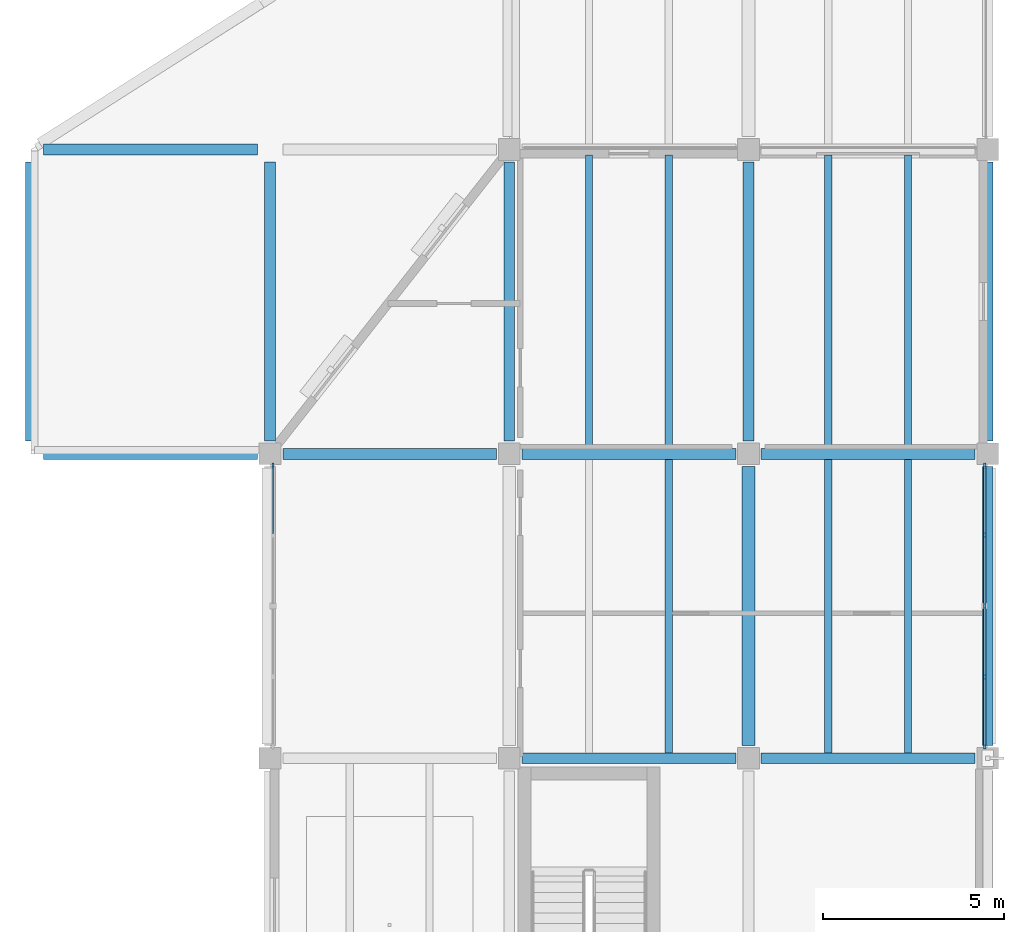
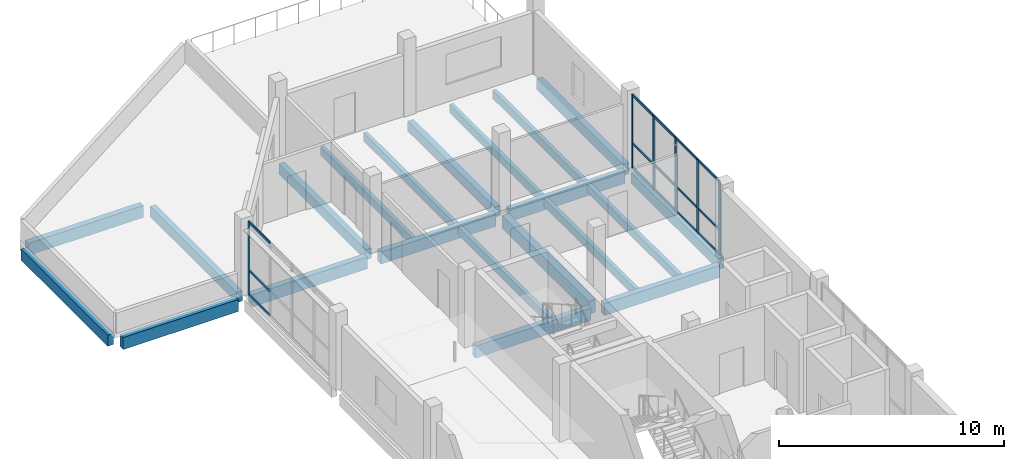
# One storey, part 4 of 12: 21 beams, 21 members, 2 elements without a shape of their own.
"""IFC4 building model written with IfcOpenShell, lengths in metres."""

from ifc_helpers import new_model, si_unit, direction, frame, origin, origin_2d, place, context, subcontext, project, spatial, rectangle, extrude, material, material_profile, profile_set, type_object, element, aggregate, save


model = new_model("IFC4")

# Units and contexts
model_context = context("Model", 3, precision=1e-05, world=origin(), true_north=direction((0.0, 1.0)))
body_context = subcontext(model_context, "Body", "Model", "MODEL_VIEW")
ifc_project = project(units=[si_unit("LENGTHUNIT", "METRE"), si_unit("AREAUNIT", "SQUARE_METRE"), si_unit("VOLUMEUNIT", "CUBIC_METRE"), si_unit("PLANEANGLEUNIT", "RADIAN"), si_unit("MASSUNIT", "GRAM", prefix="KILO")], contexts=[model_context])

# Site, building, storey
site_placement = place(None, origin())
site = spatial("IfcSite", under=ifc_project, at=site_placement, CompositionType="ELEMENT")
building_placement = place(site_placement, origin())
building = spatial("IfcBuilding", under=site, at=building_placement, Name="Qaldarim Faculty of Natural and Applied Sciences", CompositionType="ELEMENT")
storey_placement = place(building_placement, frame((0.0, 0.0, 31.199951171875)))
storey = spatial("IfcBuildingStorey", under=building, at=storey_placement, Name="L07", CompositionType="ELEMENT", Elevation=31.199951171875)

# Beams
ifc_material_1 = material(Name="Concrete C40/50", Category="concrete")
ifc_material_profile_1 = material_profile(ifc_material_1, rectangle(XDim=0.300048828125, YDim=0.550048828125, at=origin_2d()), Name="RC-B300x550")
ifc_profile_set_1 = profile_set([ifc_material_profile_1], Name="Concrete C40/50")
beam_type_1 = type_object("IfcBeamType", Name="FloorBeam-RC300x550", PredefinedType="BEAM", material=ifc_profile_set_1)
for number, where, z_axis, x_axis, name in (
    (1, (158.39990234375, 42.35009765625, -0.494873046875), (0.0, 1.0, 0.0), (-1.0, 0.0, 0.0), "Beam RC-B300x550 L06 X25/Y06-Y07"),
    (2, (165.0, 42.35009765625, -0.494873046875), (0.0, 1.0, 0.0), (-1.0, 0.0, 0.0), "Beam RC-B300x550 L06 X26/Y06-Y07"),
    (3, (171.60009765625, 42.35009765625, -0.494873046875), (0.0, 1.0, 0.0), (-1.0, 0.0, 0.0), "Beam RC-B300x550 L06 X27/Y06-Y07"),
):
    element("IfcBeam", number, at=place(storey_placement, frame(where, z_axis=z_axis, x_axis=x_axis)), inside=storey, type_object=beam_type_1, Name=name, PredefinedType="BEAM", context=body_context, shape_type="SweptSolid", body=[
        extrude(rectangle(XDim=0.300048828125, YDim=0.550048828125, at=origin_2d()), origin(), (0.0, 0.0, 1.0), 7.699951171875),
    ])
ifc_material_profile_2 = material_profile(ifc_material_1, rectangle(XDim=0.199951171875, YDim=0.449951171875, at=origin_2d()), Name="RC-J200x450")
ifc_profile_set_2 = profile_set([ifc_material_profile_2], Name="Concrete C40/50")
beam_type_2 = type_object("IfcBeamType", Name="LabJoist-RC200x450", PredefinedType="JOIST", material=ifc_profile_set_2)
for number, where, z_axis, x_axis, name in (
    (4, (169.39990234375, 33.75, -0.445068359375), (0.0, 1.0, 0.0), (-1.0, 0.0, 0.0), "Laboratory joist L06 bay X26Y05-2"),
    (5, (167.199951171875, 42.14990234375, -0.445068359375), (0.0, 1.0, 0.0), (-1.0, 0.0, 0.0), "Laboratory joist L06 bay X26Y06-1"),
    (6, (169.39990234375, 42.14990234375, -0.445068359375), (0.0, 1.0, 0.0), (-1.0, 0.0, 0.0), "Laboratory joist L06 bay X26Y06-2"),
    (7, (173.800048828125, 33.75, -0.445068359375), (0.0, 1.0, 0.0), (-1.0, 0.0, 0.0), "Laboratory joist L06 bay X27Y05-1"),
    (8, (176.0, 33.75, -0.445068359375), (0.0, 1.0, 0.0), (-1.0, 0.0, 0.0), "Laboratory joist L06 bay X27Y05-2"),
    (9, (173.800048828125, 42.14990234375, -0.445068359375), (0.0, 1.0, 0.0), (-1.0, 0.0, 0.0), "Laboratory joist L06 bay X27Y06-1"),
    (10, (176.0, 42.14990234375, -0.445068359375), (0.0, 1.0, 0.0), (-1.0, 0.0, 0.0), "Laboratory joist L06 bay X27Y06-2"),
):
    element("IfcBeam", number, at=place(storey_placement, frame(where, z_axis=z_axis, x_axis=x_axis)), inside=storey, type_object=beam_type_2, Name=name, PredefinedType="JOIST", context=body_context, shape_type="SweptSolid", body=[
        extrude(rectangle(XDim=0.199951171875, YDim=0.449951171875, at=origin_2d()), origin(), (0.0, 0.0, 1.0), 8.10009765625),
    ])

# Curtain wall, member
ifc_material_2 = material(Name="Anodised aluminium AW-6063", Category="aluminium")
curtain_wall_type = type_object("IfcCurtainWallType", Name="CurtainWallSystem-M1800", PredefinedType="USERDEFINED", material=ifc_material_2)
curtain_wall_1_placement = place(storey_placement, origin())
curtain_wall_1 = element("IfcCurtainWall", 11, at=curtain_wall_1_placement, inside=storey, type_object=curtain_wall_type, Name="Curtain wall CW-L07-W-X25Y05", ObjectType="UNITISED FACADE", PredefinedType="USERDEFINED")
ifc_material_profile_3 = material_profile(ifc_material_2, rectangle(XDim=0.06005859375, YDim=0.14990234375, at=origin_2d()), Name="ALU-M60x150")
ifc_profile_set_3 = profile_set([ifc_material_profile_3], Name="Anodised aluminium AW-6063")
member_type_1 = type_object("IfcMemberType", Name="Mullion-ALU60x150", PredefinedType="MULLION", material=ifc_profile_set_3)
member_1_placement = place(storey_placement, frame((158.47998046875, 41.675048828125, 0.0), z_axis=(0.0, 0.0, 1.0), x_axis=(1.0, 0.0, 0.0)))
member_1 = element("IfcMember", 12, at=member_1_placement, type_object=member_type_1, Name="Mullion 1 of CW-L07-W-X25Y05", PredefinedType="MULLION", context=body_context, shape_type="SweptSolid", body=[
    extrude(rectangle(XDim=0.06005859375, YDim=0.14990234375, at=origin_2d()), origin(), (0.0, 0.0, 1.0), 3.97998046875),
])

# Curtain wall, members
curtain_wall_2_placement = place(storey_placement, origin())
curtain_wall_2 = element("IfcCurtainWall", 13, at=curtain_wall_2_placement, inside=storey, type_object=curtain_wall_type, Name="Curtain wall CW-L07-E-X27Y05", ObjectType="UNITISED FACADE", PredefinedType="USERDEFINED")
member_2_placement = place(storey_placement, frame((178.1201171875, 33.925048828125, 0.0), z_axis=(0.0, 0.0, 1.0), x_axis=(-1.0, 0.0, 0.0)))
member_2 = element("IfcMember", 14, at=member_2_placement, type_object=member_type_1, Name="Mullion 1 of CW-L07-E-X27Y05", PredefinedType="MULLION", context=body_context, shape_type="SweptSolid", body=[
    extrude(rectangle(XDim=0.06005859375, YDim=0.14990234375, at=origin_2d()), origin(), (0.0, 0.0, 1.0), 3.97998046875),
])
member_3_placement = place(storey_placement, frame((178.1201171875, 35.847412109375, 0.0), z_axis=(0.0, 0.0, 1.0), x_axis=(-1.0, 0.0, 0.0)))
member_3 = element("IfcMember", 15, at=member_3_placement, type_object=member_type_1, Name="Mullion 2 of CW-L07-E-X27Y05", PredefinedType="MULLION", context=body_context, shape_type="SweptSolid", body=[
    extrude(rectangle(XDim=0.06005859375, YDim=0.14990234375, at=origin_2d()), origin(), (0.0, 0.0, 1.0), 3.97998046875),
])
member_4_placement = place(storey_placement, frame((178.1201171875, 37.800048828125, 0.0), z_axis=(0.0, 0.0, 1.0), x_axis=(-1.0, 0.0, 0.0)))
member_4 = element("IfcMember", 16, at=member_4_placement, type_object=member_type_1, Name="Mullion 3 of CW-L07-E-X27Y05", PredefinedType="MULLION", context=body_context, shape_type="SweptSolid", body=[
    extrude(rectangle(XDim=0.06005859375, YDim=0.14990234375, at=origin_2d()), origin(), (0.0, 0.0, 1.0), 3.97998046875),
])
member_5_placement = place(storey_placement, frame((178.1201171875, 39.75244140625, 0.0), z_axis=(0.0, 0.0, 1.0), x_axis=(-1.0, 0.0, 0.0)))
member_5 = element("IfcMember", 17, at=member_5_placement, type_object=member_type_1, Name="Mullion 4 of CW-L07-E-X27Y05", PredefinedType="MULLION", context=body_context, shape_type="SweptSolid", body=[
    extrude(rectangle(XDim=0.06005859375, YDim=0.14990234375, at=origin_2d()), origin(), (0.0, 0.0, 1.0), 3.97998046875),
])
member_6_placement = place(storey_placement, frame((178.1201171875, 41.675048828125, 0.0), z_axis=(0.0, 0.0, 1.0), x_axis=(-1.0, 0.0, 0.0)))
member_6 = element("IfcMember", 18, at=member_6_placement, type_object=member_type_1, Name="Mullion 5 of CW-L07-E-X27Y05", PredefinedType="MULLION", context=body_context, shape_type="SweptSolid", body=[
    extrude(rectangle(XDim=0.06005859375, YDim=0.14990234375, at=origin_2d()), origin(), (0.0, 0.0, 1.0), 3.97998046875),
])

# Beams
ifc_material_profile_4 = material_profile(ifc_material_1, rectangle(XDim=0.300048828125, YDim=0.64990234375, at=origin_2d()), Name="RC-B300x650")
ifc_profile_set_4 = profile_set([ifc_material_profile_4], Name="Concrete C40/50")
beam_type_3 = type_object("IfcBeamType", Name="PrimaryBeam-RC300x650", PredefinedType="BEAM", material=ifc_profile_set_4)
beam_1_placement = place(storey_placement, frame((165.35009765625, 33.60009765625, -0.544921875), z_axis=(1.0, 0.0, 0.0), x_axis=(0.0, 1.0, 0.0)))
element("IfcBeam", 19, at=beam_1_placement, inside=storey, type_object=beam_type_3, Name="Beam RC-B300x650 L06 X26-X27/Y05", PredefinedType="BEAM", context=body_context, shape_type="SweptSolid", body=[
    extrude(rectangle(XDim=0.300048828125, YDim=0.64990234375, at=origin_2d()), origin(), (0.0, 0.0, 1.0), 5.89990234375),
])
for number, where, z_axis, x_axis, name in (
    (20, (171.949951171875, 33.60009765625, -0.544921875), (1.0, 0.0, 0.0), (0.0, 1.0, 0.0), "Beam RC-B300x650 L06 X27-X28/Y05"),
    (21, (152.14990234375, 42.0, -0.544921875), (1.0, 0.0, 0.0), (0.0, 1.0, 0.0), "Beam RC-B300x650 L06 X24-X25/Y06"),
):
    element("IfcBeam", number, at=place(storey_placement, frame(where, z_axis=z_axis, x_axis=x_axis)), inside=storey, type_object=beam_type_3, Name=name, PredefinedType="BEAM", context=body_context, shape_type="SweptSolid", body=[
        extrude(rectangle(XDim=0.300048828125, YDim=0.64990234375, at=origin_2d()), origin(), (0.0, 0.0, 1.0), 5.900146484375),
    ])
for number, where, z_axis, x_axis, name in (
    (22, (158.75, 42.0, -0.544921875), (1.0, 0.0, 0.0), (0.0, 1.0, 0.0), "Beam RC-B300x650 L06 X25-X26/Y06"),
    (23, (165.35009765625, 42.0, -0.544921875), (1.0, 0.0, 0.0), (0.0, 1.0, 0.0), "Beam RC-B300x650 L06 X26-X27/Y06"),
):
    element("IfcBeam", number, at=place(storey_placement, frame(where, z_axis=z_axis, x_axis=x_axis)), inside=storey, type_object=beam_type_3, Name=name, PredefinedType="BEAM", context=body_context, shape_type="SweptSolid", body=[
        extrude(rectangle(XDim=0.300048828125, YDim=0.64990234375, at=origin_2d()), origin(), (0.0, 0.0, 1.0), 5.89990234375),
    ])
for number, where, z_axis, x_axis, name in (
    (24, (171.949951171875, 42.0, -0.544921875), (1.0, 0.0, 0.0), (0.0, 1.0, 0.0), "Beam RC-B300x650 L06 X27-X28/Y06"),
    (25, (152.14990234375, 50.39990234375, -0.544921875), (1.0, 0.0, 0.0), (0.0, 1.0, 0.0), "Beam RC-B300x650 L06 X24-X25/Y07"),
):
    element("IfcBeam", number, at=place(storey_placement, frame(where, z_axis=z_axis, x_axis=x_axis)), inside=storey, type_object=beam_type_3, Name=name, PredefinedType="BEAM", context=body_context, shape_type="SweptSolid", body=[
        extrude(rectangle(XDim=0.300048828125, YDim=0.64990234375, at=origin_2d()), origin(), (0.0, 0.0, 1.0), 5.900146484375),
    ])
ifc_material_profile_5 = material_profile(ifc_material_1, rectangle(XDim=0.35009765625, YDim=0.699951171875, at=origin_2d()), Name="RC-B350x700")
ifc_profile_set_5 = profile_set([ifc_material_profile_5], Name="Concrete C40/50")
beam_type_4 = type_object("IfcBeamType", Name="PrimaryGirder-RC350x700", PredefinedType="BEAM", material=ifc_profile_set_5)
beam_2_placement = place(storey_placement, frame((171.60009765625, 33.949951171875, -0.570068359375), z_axis=(0.0, 1.0, 0.0), x_axis=(-1.0, 0.0, 0.0)))
element("IfcBeam", 26, at=beam_2_placement, inside=storey, type_object=beam_type_4, Name="Beam RC-B350x700 L06 X27/Y05-Y06", PredefinedType="BEAM", context=body_context, shape_type="SweptSolid", body=[
    extrude(rectangle(XDim=0.35009765625, YDim=0.699951171875, at=origin_2d()), origin(), (0.0, 0.0, 1.0), 7.699951171875),
])
ifc_material_3 = material(Name="Precast concrete C40/50", Category="concrete")
ifc_material_profile_6 = material_profile(ifc_material_3, rectangle(XDim=0.300048828125, YDim=0.60009765625, at=origin_2d()), Name="RC-SP300x600")
ifc_profile_set_6 = profile_set([ifc_material_profile_6], Name="Precast concrete C40/50")
beam_type_5 = type_object("IfcBeamType", Name="SpandrelBeam-RC300x600", PredefinedType="SPANDREL", material=ifc_profile_set_6)
for number, where, z_axis, x_axis, name in (
    (27, (151.800048828125, 42.35009765625, -0.52001953125), (0.0, 1.0, 0.0), (-1.0, 0.0, 0.0), "Beam RC-SP300x600 L06 X24/Y06-Y07"),
    (28, (178.199951171875, 33.949951171875, -0.52001953125), (0.0, 1.0, 0.0), (-1.0, 0.0, 0.0), "Beam RC-SP300x600 L06 X28/Y05-Y06"),
    (29, (178.199951171875, 42.35009765625, -0.52001953125), (0.0, 1.0, 0.0), (-1.0, 0.0, 0.0), "Beam RC-SP300x600 L06 X28/Y06-Y07"),
):
    element("IfcBeam", number, at=place(storey_placement, frame(where, z_axis=z_axis, x_axis=x_axis)), inside=storey, type_object=beam_type_5, Name=name, PredefinedType="SPANDREL", context=body_context, shape_type="SweptSolid", body=[
        extrude(rectangle(XDim=0.300048828125, YDim=0.60009765625, at=origin_2d()), origin(), (0.0, 0.0, 1.0), 7.699951171875),
    ])

# Member
ifc_material_profile_7 = material_profile(ifc_material_2, rectangle(XDim=0.06005859375, YDim=0.1201171875, at=origin_2d()), Name="ALU-T60x120")
ifc_profile_set_7 = profile_set([ifc_material_profile_7], Name="Anodised aluminium AW-6063")
member_type_2 = type_object("IfcMemberType", Name="Transom-ALU60x120", PredefinedType="USERDEFINED", material=ifc_profile_set_7)
member_7_placement = place(storey_placement, frame((158.47998046875, 41.64501953125, 0.030029296875), z_axis=(0.0, -1.0, 0.0), x_axis=(1.0, 0.0, 0.0)))
member_7 = element("IfcMember", 30, at=member_7_placement, type_object=member_type_2, Name="Transom 1-1 of CW-L07-W-X25Y05", ObjectType="TRANSOM", PredefinedType="USERDEFINED", context=body_context, shape_type="SweptSolid", body=[
    extrude(rectangle(XDim=0.06005859375, YDim=0.1201171875, at=origin_2d()), origin(), (0.0, 0.0, 1.0), 1.862548828125),
])

member_8_placement = place(storey_placement, frame((158.47998046875, 41.64501953125, 1.35009765625), z_axis=(0.0, -1.0, 0.0), x_axis=(1.0, 0.0, 0.0)))
member_8 = element("IfcMember", 31, at=member_8_placement, type_object=member_type_2, Name="Transom 1-2 of CW-L07-W-X25Y05", ObjectType="TRANSOM", PredefinedType="USERDEFINED", context=body_context, shape_type="SweptSolid", body=[
    extrude(rectangle(XDim=0.06005859375, YDim=0.1201171875, at=origin_2d()), origin(), (0.0, 0.0, 1.0), 1.862548828125),
])

member_9_placement = place(storey_placement, frame((158.47998046875, 41.64501953125, 3.949951171875), z_axis=(0.0, -1.0, 0.0), x_axis=(1.0, 0.0, 0.0)))
member_9 = element("IfcMember", 32, at=member_9_placement, type_object=member_type_2, Name="Transom 1-3 of CW-L07-W-X25Y05", ObjectType="TRANSOM", PredefinedType="USERDEFINED", context=body_context, shape_type="SweptSolid", body=[
    extrude(rectangle(XDim=0.06005859375, YDim=0.1201171875, at=origin_2d()), origin(), (0.0, 0.0, 1.0), 1.862548828125),
])

aggregate(curtain_wall_1, [member_1, member_7, member_8, member_9])

member_10_placement = place(storey_placement, frame((178.1201171875, 33.955078125, 0.030029296875), z_axis=(0.0, 1.0, 0.0), x_axis=(-1.0, 0.0, 0.0)))
member_10 = element("IfcMember", 33, at=member_10_placement, type_object=member_type_2, Name="Transom 1-1 of CW-L07-E-X27Y05", ObjectType="TRANSOM", PredefinedType="USERDEFINED", context=body_context, shape_type="SweptSolid", body=[
    extrude(rectangle(XDim=0.06005859375, YDim=0.1201171875, at=origin_2d()), origin(), (0.0, 0.0, 1.0), 1.8623046875),
])

member_11_placement = place(storey_placement, frame((178.1201171875, 33.955078125, 1.35009765625), z_axis=(0.0, 1.0, 0.0), x_axis=(-1.0, 0.0, 0.0)))
member_11 = element("IfcMember", 34, at=member_11_placement, type_object=member_type_2, Name="Transom 1-2 of CW-L07-E-X27Y05", ObjectType="TRANSOM", PredefinedType="USERDEFINED", context=body_context, shape_type="SweptSolid", body=[
    extrude(rectangle(XDim=0.06005859375, YDim=0.1201171875, at=origin_2d()), origin(), (0.0, 0.0, 1.0), 1.8623046875),
])

member_12_placement = place(storey_placement, frame((178.1201171875, 33.955078125, 3.949951171875), z_axis=(0.0, 1.0, 0.0), x_axis=(-1.0, 0.0, 0.0)))
member_12 = element("IfcMember", 35, at=member_12_placement, type_object=member_type_2, Name="Transom 1-3 of CW-L07-E-X27Y05", ObjectType="TRANSOM", PredefinedType="USERDEFINED", context=body_context, shape_type="SweptSolid", body=[
    extrude(rectangle(XDim=0.06005859375, YDim=0.1201171875, at=origin_2d()), origin(), (0.0, 0.0, 1.0), 1.8623046875),
])

member_13_placement = place(storey_placement, frame((178.1201171875, 35.87744140625, 0.030029296875), z_axis=(0.0, 1.0, 0.0), x_axis=(-1.0, 0.0, 0.0)))
member_13 = element("IfcMember", 36, at=member_13_placement, type_object=member_type_2, Name="Transom 2-1 of CW-L07-E-X27Y05", ObjectType="TRANSOM", PredefinedType="USERDEFINED", context=body_context, shape_type="SweptSolid", body=[
    extrude(rectangle(XDim=0.06005859375, YDim=0.1201171875, at=origin_2d()), origin(), (0.0, 0.0, 1.0), 1.892578125),
])

member_14_placement = place(storey_placement, frame((178.1201171875, 35.87744140625, 1.35009765625), z_axis=(0.0, 1.0, 0.0), x_axis=(-1.0, 0.0, 0.0)))
member_14 = element("IfcMember", 37, at=member_14_placement, type_object=member_type_2, Name="Transom 2-2 of CW-L07-E-X27Y05", ObjectType="TRANSOM", PredefinedType="USERDEFINED", context=body_context, shape_type="SweptSolid", body=[
    extrude(rectangle(XDim=0.06005859375, YDim=0.1201171875, at=origin_2d()), origin(), (0.0, 0.0, 1.0), 1.892578125),
])

member_15_placement = place(storey_placement, frame((178.1201171875, 35.87744140625, 3.949951171875), z_axis=(0.0, 1.0, 0.0), x_axis=(-1.0, 0.0, 0.0)))
member_15 = element("IfcMember", 38, at=member_15_placement, type_object=member_type_2, Name="Transom 2-3 of CW-L07-E-X27Y05", ObjectType="TRANSOM", PredefinedType="USERDEFINED", context=body_context, shape_type="SweptSolid", body=[
    extrude(rectangle(XDim=0.06005859375, YDim=0.1201171875, at=origin_2d()), origin(), (0.0, 0.0, 1.0), 1.892578125),
])

member_16_placement = place(storey_placement, frame((178.1201171875, 37.830078125, 0.030029296875), z_axis=(0.0, 1.0, 0.0), x_axis=(-1.0, 0.0, 0.0)))
member_16 = element("IfcMember", 39, at=member_16_placement, type_object=member_type_2, Name="Transom 3-1 of CW-L07-E-X27Y05", ObjectType="TRANSOM", PredefinedType="USERDEFINED", context=body_context, shape_type="SweptSolid", body=[
    extrude(rectangle(XDim=0.06005859375, YDim=0.1201171875, at=origin_2d()), origin(), (0.0, 0.0, 1.0), 1.892333984375),
])

member_17_placement = place(storey_placement, frame((178.1201171875, 37.830078125, 1.35009765625), z_axis=(0.0, 1.0, 0.0), x_axis=(-1.0, 0.0, 0.0)))
member_17 = element("IfcMember", 40, at=member_17_placement, type_object=member_type_2, Name="Transom 3-2 of CW-L07-E-X27Y05", ObjectType="TRANSOM", PredefinedType="USERDEFINED", context=body_context, shape_type="SweptSolid", body=[
    extrude(rectangle(XDim=0.06005859375, YDim=0.1201171875, at=origin_2d()), origin(), (0.0, 0.0, 1.0), 1.892333984375),
])

member_18_placement = place(storey_placement, frame((178.1201171875, 37.830078125, 3.949951171875), z_axis=(0.0, 1.0, 0.0), x_axis=(-1.0, 0.0, 0.0)))
member_18 = element("IfcMember", 41, at=member_18_placement, type_object=member_type_2, Name="Transom 3-3 of CW-L07-E-X27Y05", ObjectType="TRANSOM", PredefinedType="USERDEFINED", context=body_context, shape_type="SweptSolid", body=[
    extrude(rectangle(XDim=0.06005859375, YDim=0.1201171875, at=origin_2d()), origin(), (0.0, 0.0, 1.0), 1.892333984375),
])

member_19_placement = place(storey_placement, frame((178.1201171875, 39.782470703125, 0.030029296875), z_axis=(0.0, 1.0, 0.0), x_axis=(-1.0, 0.0, 0.0)))
member_19 = element("IfcMember", 42, at=member_19_placement, type_object=member_type_2, Name="Transom 4-1 of CW-L07-E-X27Y05", ObjectType="TRANSOM", PredefinedType="USERDEFINED", context=body_context, shape_type="SweptSolid", body=[
    extrude(rectangle(XDim=0.06005859375, YDim=0.1201171875, at=origin_2d()), origin(), (0.0, 0.0, 1.0), 1.862548828125),
])

member_20_placement = place(storey_placement, frame((178.1201171875, 39.782470703125, 1.35009765625), z_axis=(0.0, 1.0, 0.0), x_axis=(-1.0, 0.0, 0.0)))
member_20 = element("IfcMember", 43, at=member_20_placement, type_object=member_type_2, Name="Transom 4-2 of CW-L07-E-X27Y05", ObjectType="TRANSOM", PredefinedType="USERDEFINED", context=body_context, shape_type="SweptSolid", body=[
    extrude(rectangle(XDim=0.06005859375, YDim=0.1201171875, at=origin_2d()), origin(), (0.0, 0.0, 1.0), 1.862548828125),
])

member_21_placement = place(storey_placement, frame((178.1201171875, 39.782470703125, 3.949951171875), z_axis=(0.0, 1.0, 0.0), x_axis=(-1.0, 0.0, 0.0)))
member_21 = element("IfcMember", 44, at=member_21_placement, type_object=member_type_2, Name="Transom 4-3 of CW-L07-E-X27Y05", ObjectType="TRANSOM", PredefinedType="USERDEFINED", context=body_context, shape_type="SweptSolid", body=[
    extrude(rectangle(XDim=0.06005859375, YDim=0.1201171875, at=origin_2d()), origin(), (0.0, 0.0, 1.0), 1.862548828125),
])

aggregate(curtain_wall_2, [member_2, member_3, member_4, member_5, member_6, member_10, member_11, member_12, member_13, member_14, member_15, member_16, member_17, member_18, member_19, member_20, member_21])

save(model, "model.ifc")
